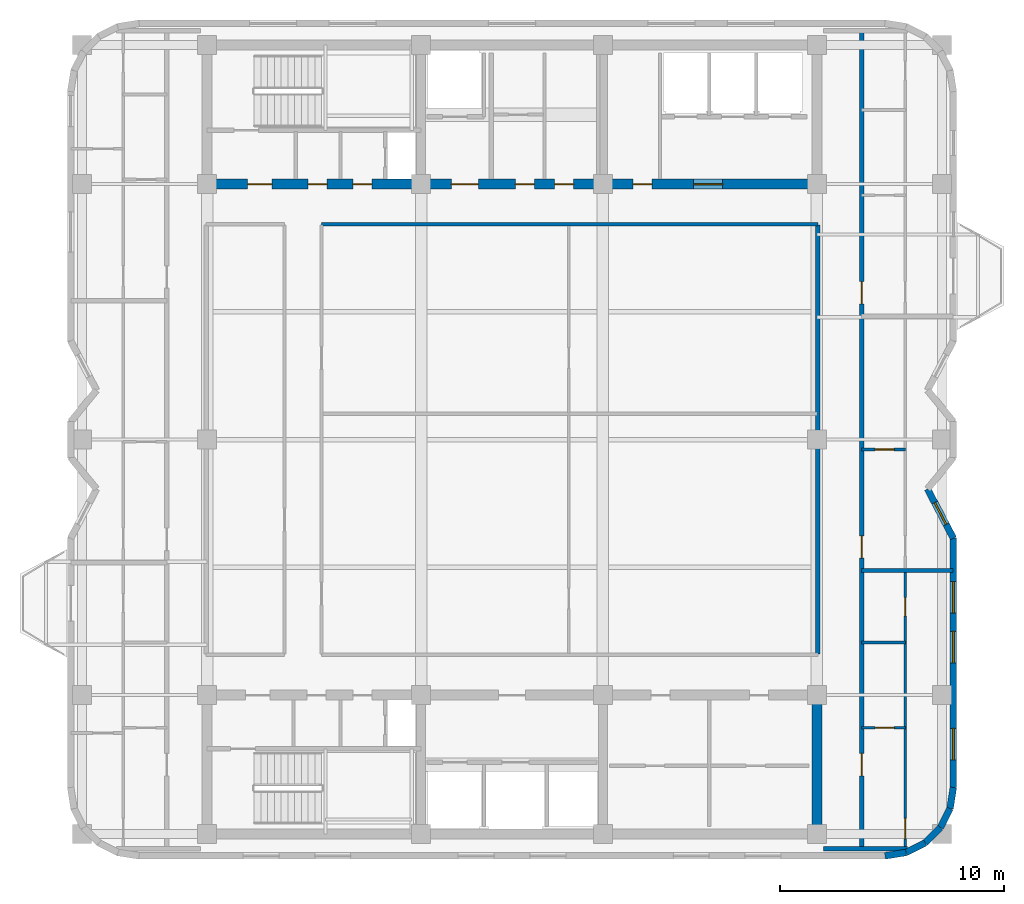
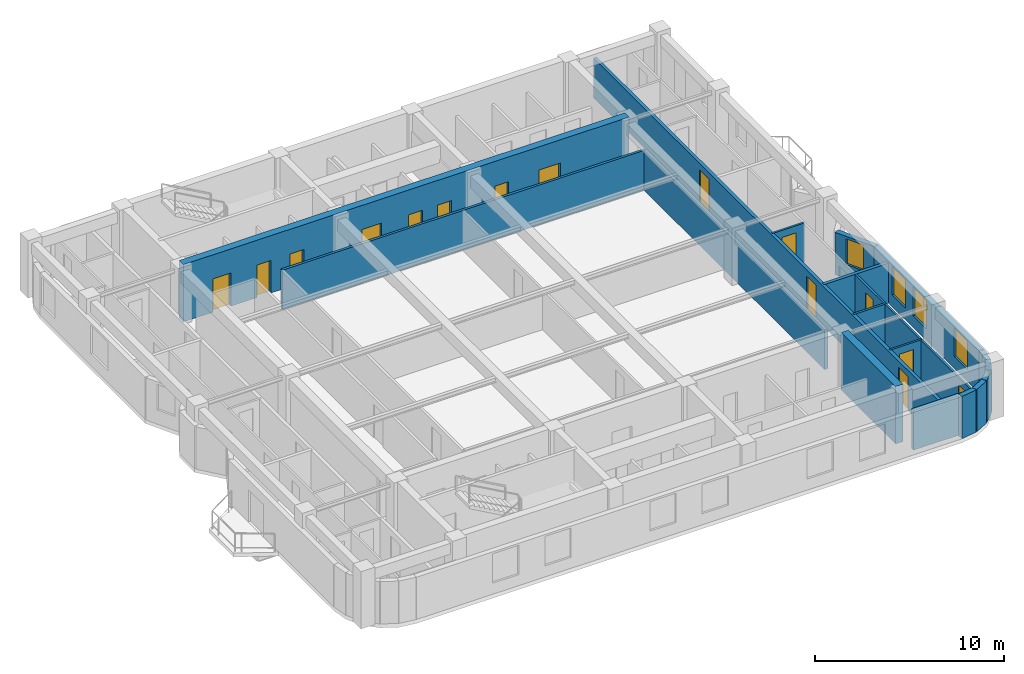
# One storey, part 5 of 9: 18 walls, 15 doors, 4 windows, 19 openings.
"""IFC4 building model written with IfcOpenShell, lengths in metres."""

from ifc_helpers import new_model, si_unit, direction, frame, frame_2d, origin, place, context, subcontext, project, spatial, rectangle, extrude, material, layer, layer_set, type_object, element, fill, save


model = new_model("IFC4")

# Units and contexts
model_context = context("Model", 3, precision=1e-05, world=origin(), true_north=direction((0.0, 1.0)))
body_context = subcontext(model_context, "Body", "Model", "MODEL_VIEW")
ifc_project = project(units=[si_unit("LENGTHUNIT", "METRE"), si_unit("AREAUNIT", "SQUARE_METRE"), si_unit("VOLUMEUNIT", "CUBIC_METRE"), si_unit("PLANEANGLEUNIT", "RADIAN"), si_unit("MASSUNIT", "GRAM", prefix="KILO")], contexts=[model_context])

# Site, building, storey
site_placement = place(None, origin())
site = spatial("IfcSite", under=ifc_project, at=site_placement, CompositionType="ELEMENT")
building_placement = place(site_placement, origin())
building = spatial("IfcBuilding", under=site, at=building_placement, Name="Svetorya Sky Lyceum", CompositionType="ELEMENT")
storey_placement = place(building_placement, frame((0.0, 0.0, 244.300048828125)))
storey = spatial("IfcBuildingStorey", under=building, at=storey_placement, Name="L61", CompositionType="ELEMENT", Elevation=244.300048828125)

# Wall
ifc_material_1 = material(Name="Concrete C50/60", Category="concrete")
ifc_layer_1 = layer(ifc_material_1, 0.449951171875)
ifc_layer_set_1 = layer_set([ifc_layer_1], Name="Concrete C50/60")
wall_type_1 = type_object("IfcWallType", Name="WL-CORE-450", PredefinedType="SHEAR", material=ifc_layer_set_1)
wall_1_placement = place(storey_placement, frame((52.800048828125, 10.824951171875, 0.0), z_axis=(0.0, 0.0, 1.0), x_axis=(0.0, 1.0, 0.0)))
element("IfcWall", 1, at=wall_1_placement, inside=storey, type_object=wall_type_1, Name="L61 SC East Core Shear Wall", PredefinedType="SHEAR", context=body_context, shape_type="SweptSolid", body=[
    extrude(rectangle(XDim=5.75, YDim=0.449951171875, at=frame_2d((2.875, 0.0))), origin(), (0.0, 0.0, 1.0), 3.699951171875),
])

# Wall, openings, doors
wall_2_placement = place(storey_placement, frame((52.800048828125, 39.60009765625, 0.0), z_axis=(0.0, 0.0, 1.0), x_axis=(-1.0, 0.0, 0.0)))
wall_2 = element("IfcWall", 2, at=wall_2_placement, inside=storey, type_object=wall_type_1, Name="L61 NC Inner Core Shear Wall", PredefinedType="SHEAR", context=body_context, shape_type="SweptSolid", body=[
    extrude(rectangle(XDim=27.199951171875, YDim=0.449951171875, at=frame_2d((13.60009765625, 0.0))), origin(), (0.0, 0.0, 1.0), 3.699951171875),
])
opening_1_placement = place(wall_2_placement, frame((24.300048828125, 0.0, 0.0)))
opening_1 = element("IfcOpeningElement", 3, at=opening_1_placement, cuts=wall_2, Name="Opening D-ST1", PredefinedType="OPENING", context=body_context, shape_type="SweptSolid", body=[
    extrude(rectangle(XDim=1.10009765625, YDim=2.14990234375, at=frame_2d((0.550048828125, 1.074951171875))), frame((0.0, 0.23486328125, 0.0), z_axis=(0.0, -1.0, 0.0), x_axis=(1.0, 0.0, 0.0)), (0.0, 0.0, 1.0), 0.469970703125),
])
opening_2_placement = place(wall_2_placement, frame((21.85009765625, 0.0, 0.0)))
opening_2 = element("IfcOpeningElement", 4, at=opening_2_placement, cuts=wall_2, Name="Opening D-CWC1", PredefinedType="OPENING", context=body_context, shape_type="SweptSolid", body=[
    extrude(rectangle(XDim=0.85009765625, YDim=2.10009765625, at=frame_2d((0.425048828125, 1.050048828125))), frame((0.0, 0.23486328125, 0.0), z_axis=(0.0, -1.0, 0.0), x_axis=(1.0, 0.0, 0.0)), (0.0, 0.0, 1.0), 0.469970703125),
])
opening_3_placement = place(wall_2_placement, frame((19.85009765625, 0.0, 0.0)))
opening_3 = element("IfcOpeningElement", 5, at=opening_3_placement, cuts=wall_2, Name="Opening D-CWC1", PredefinedType="OPENING", context=body_context, shape_type="SweptSolid", body=[
    extrude(rectangle(XDim=0.85009765625, YDim=2.10009765625, at=frame_2d((0.425048828125, 1.050048828125))), frame((0.0, 0.23486328125, 0.0), z_axis=(0.0, -1.0, 0.0), x_axis=(1.0, 0.0, 0.0)), (0.0, 0.0, 1.0), 0.469970703125),
])
opening_4_placement = place(wall_2_placement, frame((15.10009765625, 0.0, 0.0)))
opening_4 = element("IfcOpeningElement", 6, at=opening_4_placement, cuts=wall_2, Name="Opening D-FL1", PredefinedType="OPENING", context=body_context, shape_type="SweptSolid", body=[
    extrude(rectangle(XDim=1.199951171875, YDim=2.14990234375, at=frame_2d((0.60009765625, 1.074951171875))), frame((0.0, 0.23486328125, 0.0), z_axis=(0.0, -1.0, 0.0), x_axis=(1.0, 0.0, 0.0)), (0.0, 0.0, 1.0), 0.469970703125),
])
opening_5_placement = place(wall_2_placement, frame((12.60009765625, 0.0, 0.0)))
opening_5 = element("IfcOpeningElement", 7, at=opening_5_placement, cuts=wall_2, Name="Opening D-CWC1", PredefinedType="OPENING", context=body_context, shape_type="SweptSolid", body=[
    extrude(rectangle(XDim=0.85009765625, YDim=2.10009765625, at=frame_2d((0.425048828125, 1.050048828125))), frame((0.0, 0.23486328125, 0.0), z_axis=(0.0, -1.0, 0.0), x_axis=(1.0, 0.0, 0.0)), (0.0, 0.0, 1.0), 0.469970703125),
])
opening_6_placement = place(wall_2_placement, frame((10.85009765625, 0.0, 0.0)))
opening_6 = element("IfcOpeningElement", 8, at=opening_6_placement, cuts=wall_2, Name="Opening D-CWC1", PredefinedType="OPENING", context=body_context, shape_type="SweptSolid", body=[
    extrude(rectangle(XDim=0.85009765625, YDim=2.10009765625, at=frame_2d((0.425048828125, 1.050048828125))), frame((0.0, 0.23486328125, 0.0), z_axis=(0.0, -1.0, 0.0), x_axis=(1.0, 0.0, 0.0)), (0.0, 0.0, 1.0), 0.469970703125),
])
opening_7_placement = place(wall_2_placement, frame((7.35009765625, 0.0, 0.0)))
opening_7 = element("IfcOpeningElement", 9, at=opening_7_placement, cuts=wall_2, Name="Opening D-CWC1", PredefinedType="OPENING", context=body_context, shape_type="SweptSolid", body=[
    extrude(rectangle(XDim=0.85009765625, YDim=2.10009765625, at=frame_2d((0.425048828125, 1.050048828125))), frame((0.0, 0.23486328125, 0.0), z_axis=(0.0, -1.0, 0.0), x_axis=(1.0, 0.0, 0.0)), (0.0, 0.0, 1.0), 0.469970703125),
])
opening_8_placement = place(wall_2_placement, frame((4.199951171875, 0.0, 0.0)))
opening_8 = element("IfcOpeningElement", 10, at=opening_8_placement, cuts=wall_2, Name="Opening D-LB1", PredefinedType="OPENING", context=body_context, shape_type="SweptSolid", body=[
    extrude(rectangle(XDim=1.300048828125, YDim=2.199951171875, at=frame_2d((0.64990234375, 1.10009765625))), frame((0.0, 0.23486328125, 0.0), z_axis=(0.0, -1.0, 0.0), x_axis=(1.0, 0.0, 0.0)), (0.0, 0.0, 1.0), 0.469970703125),
])
ifc_material_2 = material(Name="Fire-rated galvanized steel core service closet door", Category="steel")
door_type_1 = type_object("IfcDoorType", Name="DR-CWET-850", OperationType="SINGLE_SWING_LEFT", PredefinedType="DOOR", material=ifc_material_2)
door_1_placement = place(opening_2_placement, origin())
door_1 = element("IfcDoor", 11, at=door_1_placement, inside=storey, type_object=door_type_1, Name="L61 North Cleaner Door", OperationType="SINGLE_SWING_RIGHT", OverallHeight=2.10009765625, OverallWidth=0.85009765625, PredefinedType="DOOR", context=body_context, shape_type="SweptSolid", body=[
    extrude(rectangle(XDim=0.85009765625, YDim=2.10009765625, at=frame_2d((0.425048828125, 1.050048828125))), frame((0.0, 0.02490234375, 0.0), z_axis=(0.0, -1.0, 0.0), x_axis=(1.0, 0.0, 0.0)), (0.0, 0.0, 1.0), 0.050048828125),
])
fill(opening_2, door_1)
door_2_placement = place(opening_3_placement, origin())
door_2 = element("IfcDoor", 12, at=door_2_placement, inside=storey, type_object=door_type_1, Name="L61 North Meter Door", OperationType="SINGLE_SWING_LEFT", OverallHeight=2.10009765625, OverallWidth=0.85009765625, PredefinedType="DOOR", context=body_context, shape_type="SweptSolid", body=[
    extrude(rectangle(XDim=0.85009765625, YDim=2.10009765625, at=frame_2d((0.425048828125, 1.050048828125))), frame((0.0, 0.02490234375, 0.0), z_axis=(0.0, -1.0, 0.0), x_axis=(1.0, 0.0, 0.0)), (0.0, 0.0, 1.0), 0.050048828125),
])
fill(opening_3, door_2)
door_3_placement = place(opening_5_placement, origin())
door_3 = element("IfcDoor", 13, at=door_3_placement, inside=storey, type_object=door_type_1, Name="L61 Cleaner Vestibule Door", OperationType="SINGLE_SWING_LEFT", OverallHeight=2.10009765625, OverallWidth=0.85009765625, PredefinedType="DOOR", context=body_context, shape_type="SweptSolid", body=[
    extrude(rectangle(XDim=0.85009765625, YDim=2.10009765625, at=frame_2d((0.425048828125, 1.050048828125))), frame((0.0, 0.02490234375, 0.0), z_axis=(0.0, -1.0, 0.0), x_axis=(1.0, 0.0, 0.0)), (0.0, 0.0, 1.0), 0.050048828125),
])
fill(opening_5, door_3)
door_4_placement = place(opening_6_placement, origin())
door_4 = element("IfcDoor", 14, at=door_4_placement, inside=storey, type_object=door_type_1, Name="L61 Upper Pram Store Door", OperationType="SINGLE_SWING_RIGHT", OverallHeight=2.10009765625, OverallWidth=0.85009765625, PredefinedType="DOOR", context=body_context, shape_type="SweptSolid", body=[
    extrude(rectangle(XDim=0.85009765625, YDim=2.10009765625, at=frame_2d((0.425048828125, 1.050048828125))), frame((0.0, 0.02490234375, 0.0), z_axis=(0.0, -1.0, 0.0), x_axis=(1.0, 0.0, 0.0)), (0.0, 0.0, 1.0), 0.050048828125),
])
fill(opening_6, door_4)
door_5_placement = place(opening_7_placement, origin())
door_5 = element("IfcDoor", 15, at=door_5_placement, inside=storey, type_object=door_type_1, Name="L61 High-Zone Utility Room Door", OperationType="SINGLE_SWING_LEFT", OverallHeight=2.10009765625, OverallWidth=0.85009765625, PredefinedType="DOOR", context=body_context, shape_type="SweptSolid", body=[
    extrude(rectangle(XDim=0.85009765625, YDim=2.10009765625, at=frame_2d((0.425048828125, 1.050048828125))), frame((0.0, 0.02490234375, 0.0), z_axis=(0.0, -1.0, 0.0), x_axis=(1.0, 0.0, 0.0)), (0.0, 0.0, 1.0), 0.050048828125),
])
fill(opening_7, door_5)
ifc_material_3 = material(Name="Powder-coated insulated galvanized stair fire door")
door_type_2 = type_object("IfcDoorType", Name="DR-FIRE-1100", OperationType="SINGLE_SWING_LEFT", PredefinedType="DOOR", material=ifc_material_3)
door_6_placement = place(opening_1_placement, origin())
door_6 = element("IfcDoor", 16, at=door_6_placement, inside=storey, type_object=door_type_2, Name="L61 North Stair Airlock Door", OperationType="SINGLE_SWING_LEFT", OverallHeight=2.14990234375, OverallWidth=1.10009765625, PredefinedType="DOOR", context=body_context, shape_type="SweptSolid", body=[
    extrude(rectangle(XDim=1.10009765625, YDim=2.14990234375, at=frame_2d((0.550048828125, 1.074951171875))), frame((0.0, 0.02490234375, 0.0), z_axis=(0.0, -1.0, 0.0), x_axis=(1.0, 0.0, 0.0)), (0.0, 0.0, 1.0), 0.050048828125),
])
fill(opening_1, door_6)
ifc_material_4 = material(Name="Powder-coated insulated galvanized fire door")
door_type_3 = type_object("IfcDoorType", Name="DR-FIRE-1200", OperationType="SINGLE_SWING_LEFT", PredefinedType="DOOR", material=ifc_material_4)
door_7_placement = place(opening_4_placement, origin())
door_7 = element("IfcDoor", 17, at=door_7_placement, inside=storey, type_object=door_type_3, Name="L61 North Firefighting Lift Lobby Door", OperationType="SINGLE_SWING_RIGHT", OverallHeight=2.14990234375, OverallWidth=1.199951171875, PredefinedType="DOOR", context=body_context, shape_type="SweptSolid", body=[
    extrude(rectangle(XDim=1.199951171875, YDim=2.14990234375, at=frame_2d((0.60009765625, 1.074951171875))), frame((0.0, 0.02490234375, 0.0), z_axis=(0.0, -1.0, 0.0), x_axis=(1.0, 0.0, 0.0)), (0.0, 0.0, 1.0), 0.050048828125),
])
fill(opening_4, door_7)
ifc_material_5 = material(Name="Glazed fire-rated aluminium lobby door", Category="aluminium")
door_type_4 = type_object("IfcDoorType", Name="DR-LOB-1300", OperationType="SINGLE_SWING_LEFT", PredefinedType="DOOR", material=ifc_material_5)
door_8_placement = place(opening_8_placement, origin())
door_8 = element("IfcDoor", 18, at=door_8_placement, inside=storey, type_object=door_type_4, Name="L61 North Passenger Lift Lobby Door", OperationType="SINGLE_SWING_LEFT", OverallHeight=2.199951171875, OverallWidth=1.300048828125, PredefinedType="DOOR", context=body_context, shape_type="SweptSolid", body=[
    extrude(rectangle(XDim=1.300048828125, YDim=2.199951171875, at=frame_2d((0.64990234375, 1.10009765625))), frame((0.0, 0.02490234375, 0.0), z_axis=(0.0, -1.0, 0.0), x_axis=(1.0, 0.0, 0.0)), (0.0, 0.0, 1.0), 0.050048828125),
])
fill(opening_8, door_8)

# Walls
ifc_material_6 = material(Name="Putilovo limestone rainscreen on autoclaved cellular masonry", Category="masonry")
ifc_layer_2 = layer(ifc_material_6, 0.300048828125)
ifc_layer_set_2 = layer_set([ifc_layer_2], Name="Putilovo limestone rainscreen on autoclaved cellular masonry")
wall_type_2 = type_object("IfcWallType", Name="WL-EXT-300", PredefinedType="SOLIDWALL", material=ifc_layer_set_2)
wall_3_placement = place(storey_placement, frame((55.840087890625, 9.6298828125, 0.0), z_axis=(0.0, 0.0, 1.0), x_axis=(0.987663181641, 0.156593229835, 0.0)))
element("IfcWall", 19, at=wall_3_placement, inside=storey, type_object=wall_type_2, Name="L61 Limestone Exterior Wall 7M", PredefinedType="SOLIDWALL", context=body_context, shape_type="SweptSolid", body=[
    extrude(rectangle(XDim=0.9541015625, YDim=0.300048828125, at=frame_2d((0.47705078125, 0.0))), origin(), (0.0, 0.0, 1.0), 2.72998046875),
])
for number, where, z_axis, x_axis, name in (
    (20, (56.782470703125, 9.779296875, 0.0), (0.0, 0.0, 1.0), (0.891076589373, 0.453852962833, 0.0), "L61 Limestone Exterior Wall 8M"),
    (21, (57.6328125, 10.21240234375, 0.0), (0.0, 0.0, 1.0), (0.707106781187, 0.707106781187, 0.0), "L61 Limestone Exterior Wall 9M"),
    (22, (58.3076171875, 10.88720703125, 0.0), (0.0, 0.0, 1.0), (0.453852962833, 0.891076589373, 0.0), "L61 Limestone Exterior Wall 10M"),
):
    element("IfcWall", number, at=place(storey_placement, frame(where, z_axis=z_axis, x_axis=x_axis)), inside=storey, type_object=wall_type_2, Name=name, PredefinedType="SOLIDWALL", context=body_context, shape_type="SweptSolid", body=[
        extrude(rectangle(XDim=0.954345703125, YDim=0.300048828125, at=frame_2d((0.47705078125, 0.0))), origin(), (0.0, 0.0, 1.0), 2.72998046875),
    ])
wall_4_placement = place(storey_placement, frame((58.74072265625, 11.737548828125, 0.0), z_axis=(0.0, 0.0, 1.0), x_axis=(0.156343617883, 0.987702725088, 0.0)))
element("IfcWall", 23, at=wall_4_placement, inside=storey, type_object=wall_type_2, Name="L61 Limestone Exterior Wall 11M", PredefinedType="SOLIDWALL", context=body_context, shape_type="SweptSolid", body=[
    extrude(rectangle(XDim=0.9541015625, YDim=0.300048828125, at=frame_2d((0.47705078125, 0.0))), origin(), (0.0, 0.0, 1.0), 2.72998046875),
])

# Wall, openings, windows
wall_5_placement = place(storey_placement, frame((58.889892578125, 12.679931640625, 0.0), z_axis=(0.0, 0.0, 1.0), x_axis=(0.0, 1.0, 0.0)))
wall_5 = element("IfcWall", 24, at=wall_5_placement, inside=storey, type_object=wall_type_2, Name="L61 Limestone Exterior Wall 12M", PredefinedType="SOLIDWALL", context=body_context, shape_type="SweptSolid", body=[
    extrude(rectangle(XDim=11.1201171875, YDim=0.300048828125, at=frame_2d((5.56005859375, 0.0))), origin(), (0.0, 0.0, 1.0), 2.72998046875),
])
opening_9_placement = place(wall_5_placement, frame((1.23681640625, 0.0, 0.760009765625)))
opening_9 = element("IfcOpeningElement", 25, at=opening_9_placement, cuts=wall_5, Name="Opening W-R2", PredefinedType="OPENING", context=body_context, shape_type="SweptSolid", body=[
    extrude(rectangle(XDim=1.39990234375, YDim=1.85009765625, at=frame_2d((0.699951171875, 0.925048828125))), frame((0.0, 0.159912109375, 0.0), z_axis=(0.0, -1.0, 0.0), x_axis=(1.0, 0.0, 0.0)), (0.0, 0.0, 1.0), 0.320068359375),
])
opening_10_placement = place(wall_5_placement, frame((5.56005859375, 0.0, 0.760009765625)))
opening_10 = element("IfcOpeningElement", 26, at=opening_10_placement, cuts=wall_5, Name="Opening W-R2", PredefinedType="OPENING", context=body_context, shape_type="SweptSolid", body=[
    extrude(rectangle(XDim=1.39990234375, YDim=1.85009765625, at=frame_2d((0.699951171875, 0.925048828125))), frame((0.0, 0.159912109375, 0.0), z_axis=(0.0, -1.0, 0.0), x_axis=(1.0, 0.0, 0.0)), (0.0, 0.0, 1.0), 0.320068359375),
])
opening_11_placement = place(wall_5_placement, frame((7.783203125, 0.0, 0.760009765625)))
opening_11 = element("IfcOpeningElement", 27, at=opening_11_placement, cuts=wall_5, Name="Opening W-R2", PredefinedType="OPENING", context=body_context, shape_type="SweptSolid", body=[
    extrude(rectangle(XDim=1.39990234375, YDim=1.85009765625, at=frame_2d((0.699951171875, 0.925048828125))), frame((0.0, 0.159912109375, 0.0), z_axis=(0.0, -1.0, 0.0), x_axis=(1.0, 0.0, 0.0)), (0.0, 0.0, 1.0), 0.320068359375),
])
ifc_material_7 = material(Name="Thermally broken aluminium frame with triple low-E glazing", Category="aluminium")
window_type_1 = type_object("IfcWindowType", Name="WN-RES-140", PartitioningType="SINGLE_PANEL", PredefinedType="WINDOW", material=ifc_material_7)
window_1_placement = place(opening_9_placement, origin())
window_1 = element("IfcWindow", 28, at=window_1_placement, inside=storey, type_object=window_type_1, Name="L61 Facade Window W-R2.12M.1", OverallHeight=1.85009765625, OverallWidth=1.39990234375, PartitioningType="SINGLE_PANEL", PredefinedType="WINDOW", context=body_context, shape_type="SweptSolid", body=[
    extrude(rectangle(XDim=1.39990234375, YDim=1.85009765625, at=frame_2d((0.699951171875, 0.925048828125))), frame((0.0, 0.030029296875, 0.0), z_axis=(0.0, -1.0, 0.0), x_axis=(1.0, 0.0, 0.0)), (0.0, 0.0, 1.0), 0.06005859375),
])
fill(opening_9, window_1)
window_2_placement = place(opening_10_placement, origin())
window_2 = element("IfcWindow", 29, at=window_2_placement, inside=storey, type_object=window_type_1, Name="L61 Facade Window W-R2.12M.2", OverallHeight=1.85009765625, OverallWidth=1.39990234375, PartitioningType="SINGLE_PANEL", PredefinedType="WINDOW", context=body_context, shape_type="SweptSolid", body=[
    extrude(rectangle(XDim=1.39990234375, YDim=1.85009765625, at=frame_2d((0.699951171875, 0.925048828125))), frame((0.0, 0.030029296875, 0.0), z_axis=(0.0, -1.0, 0.0), x_axis=(1.0, 0.0, 0.0)), (0.0, 0.0, 1.0), 0.06005859375),
])
fill(opening_10, window_2)
window_3_placement = place(opening_11_placement, origin())
window_3 = element("IfcWindow", 30, at=window_3_placement, inside=storey, type_object=window_type_1, Name="L61 Facade Window W-R2.12M.3", OverallHeight=1.85009765625, OverallWidth=1.39990234375, PartitioningType="SINGLE_PANEL", PredefinedType="WINDOW", context=body_context, shape_type="SweptSolid", body=[
    extrude(rectangle(XDim=1.39990234375, YDim=1.85009765625, at=frame_2d((0.699951171875, 0.925048828125))), frame((0.0, 0.030029296875, 0.0), z_axis=(0.0, -1.0, 0.0), x_axis=(1.0, 0.0, 0.0)), (0.0, 0.0, 1.0), 0.06005859375),
])
fill(opening_11, window_3)

# Wall, opening, window
wall_6_placement = place(storey_placement, frame((58.889892578125, 23.800048828125, 0.0), z_axis=(0.0, 0.0, 1.0), x_axis=(-0.46323138706, 0.886237373418, 0.0)))
wall_6 = element("IfcWall", 31, at=wall_6_placement, inside=storey, type_object=wall_type_2, Name="L61 Limestone Exterior Wall 13M", PredefinedType="SOLIDWALL", context=body_context, shape_type="SweptSolid", body=[
    extrude(rectangle(XDim=2.482421875, YDim=0.300048828125, at=frame_2d((1.2412109375, 0.0))), origin(), (0.0, 0.0, 1.0), 2.72998046875),
])
opening_12_placement = place(wall_6_placement, frame((0.691162109375, 0.0, 0.919921875)))
opening_12 = element("IfcOpeningElement", 32, at=opening_12_placement, cuts=wall_6, Name="Opening W-R3", PredefinedType="OPENING", context=body_context, shape_type="SweptSolid", body=[
    extrude(rectangle(XDim=1.10009765625, YDim=1.64990234375, at=frame_2d((0.550048828125, 0.824951171875))), frame((0.0, 0.159912109375, 0.0), z_axis=(0.0, -1.0, 0.0), x_axis=(1.0, 0.0, 0.0)), (0.0, 0.0, 1.0), 0.320068359375),
])
window_type_2 = type_object("IfcWindowType", Name="WN-RES-110", PartitioningType="SINGLE_PANEL", PredefinedType="WINDOW", material=ifc_material_7)
window_4_placement = place(opening_12_placement, origin())
window_4 = element("IfcWindow", 33, at=window_4_placement, inside=storey, type_object=window_type_2, Name="L61 Facade Window W-R3.13M.1", OverallHeight=1.64990234375, OverallWidth=1.10009765625, PartitioningType="SINGLE_PANEL", PredefinedType="WINDOW", context=body_context, shape_type="SweptSolid", body=[
    extrude(rectangle(XDim=1.10009765625, YDim=1.64990234375, at=frame_2d((0.550048828125, 0.824951171875))), frame((0.0, 0.030029296875, 0.0), z_axis=(0.0, -1.0, 0.0), x_axis=(1.0, 0.0, 0.0)), (0.0, 0.0, 1.0), 0.06005859375),
])
fill(opening_12, window_4)

# Wall, opening, door
ifc_material_8 = material(Name="Twin-stud galvanized framing with double fireboard", Category="gypsum")
ifc_layer_3 = layer(ifc_material_8, 0.1201171875)
ifc_layer_set_3 = layer_set([ifc_layer_3], Name="Twin-stud galvanized framing with double fireboard")
wall_type_3 = type_object("IfcWallType", Name="WL-PART-120", PredefinedType="PARTITIONING", material=ifc_layer_set_3)
wall_7_placement = place(storey_placement, frame((54.800048828125, 15.35009765625, 0.0), z_axis=(0.0, 0.0, 1.0), x_axis=(1.0, 0.0, 0.0)))
wall_7 = element("IfcWall", 34, at=wall_7_placement, inside=storey, type_object=wall_type_3, Name="L61 Interior Partition E1-WH1", PredefinedType="PARTITIONING", context=body_context, shape_type="SweptSolid", body=[
    extrude(rectangle(XDim=1.949951171875, YDim=0.1201171875, at=frame_2d((0.97509765625, 0.0))), origin(), (0.0, 0.0, 1.0), 2.56005859375),
])
opening_13_placement = place(wall_7_placement, frame((0.60009765625, 0.0, 0.0)))
opening_13 = element("IfcOpeningElement", 35, at=opening_13_placement, cuts=wall_7, Name="Opening D-BT1", PredefinedType="OPENING", context=body_context, shape_type="SweptSolid", body=[
    extrude(rectangle(XDim=0.85009765625, YDim=2.10009765625, at=frame_2d((0.425048828125, 1.050048828125))), frame((0.0, 0.070068359375, 0.0), z_axis=(0.0, -1.0, 0.0), x_axis=(1.0, 0.0, 0.0)), (0.0, 0.0, 1.0), 0.14013671875),
])
ifc_material_9 = material(Name="Moisture-resistant laminate bathroom door")
door_type_5 = type_object("IfcDoorType", Name="DR-WET-850", OperationType="SINGLE_SWING_LEFT", PredefinedType="DOOR", material=ifc_material_9)
door_9_placement = place(opening_13_placement, origin())
door_9 = element("IfcDoor", 36, at=door_9_placement, inside=storey, type_object=door_type_5, Name="Apartment E1 Bathroom Door", OperationType="SINGLE_SWING_RIGHT", OverallHeight=2.10009765625, OverallWidth=0.85009765625, PredefinedType="DOOR", context=body_context, shape_type="SweptSolid", body=[
    extrude(rectangle(XDim=0.85009765625, YDim=2.10009765625, at=frame_2d((0.425048828125, 1.050048828125))), frame((0.0, 0.02490234375, 0.0), z_axis=(0.0, -1.0, 0.0), x_axis=(1.0, 0.0, 0.0)), (0.0, 0.0, 1.0), 0.050048828125),
])
fill(opening_13, door_9)

# Wall, openings, doors
wall_8_placement = place(storey_placement, frame((56.75, 9.989990234375, 0.0), z_axis=(0.0, 0.0, 1.0), x_axis=(0.0, 1.0, 0.0)))
wall_8 = element("IfcWall", 37, at=wall_8_placement, inside=storey, type_object=wall_type_3, Name="L61 Interior Partition E1-WV", PredefinedType="PARTITIONING", context=body_context, shape_type="SweptSolid", body=[
    extrude(rectangle(XDim=12.330078125, YDim=0.1201171875, at=frame_2d((6.1650390625, 0.0))), origin(), (0.0, 0.0, 1.0), 2.56005859375),
])
opening_14_placement = place(wall_8_placement, frame((0.409912109375, 0.0, 0.0)))
opening_14 = element("IfcOpeningElement", 38, at=opening_14_placement, cuts=wall_8, Name="Opening D-RM1", PredefinedType="OPENING", context=body_context, shape_type="SweptSolid", body=[
    extrude(rectangle(XDim=0.89990234375, YDim=2.10009765625, at=frame_2d((0.449951171875, 1.050048828125))), frame((0.0, 0.070068359375, 0.0), z_axis=(0.0, -1.0, 0.0), x_axis=(1.0, 0.0, 0.0)), (0.0, 0.0, 1.0), 0.14013671875),
])
opening_15_placement = place(wall_8_placement, frame((10.340087890625, 0.0, 0.0)))
opening_15 = element("IfcOpeningElement", 39, at=opening_15_placement, cuts=wall_8, Name="Opening D-BT2", PredefinedType="OPENING", context=body_context, shape_type="SweptSolid", body=[
    extrude(rectangle(XDim=0.820068359375, YDim=2.080078125, at=frame_2d((0.41015625, 1.0400390625))), frame((0.0, 0.070068359375, 0.0), z_axis=(0.0, -1.0, 0.0), x_axis=(1.0, 0.0, 0.0)), (0.0, 0.0, 1.0), 0.14013671875),
])
ifc_material_10 = material(Name="Lacquered birch veneer internal door")
door_type_6 = type_object("IfcDoorType", Name="DR-INT-900", OperationType="SINGLE_SWING_LEFT", PredefinedType="DOOR", material=ifc_material_10)
door_10_placement = place(opening_14_placement, origin())
door_10 = element("IfcDoor", 40, at=door_10_placement, inside=storey, type_object=door_type_6, Name="Apartment E1 Living Door", OperationType="SINGLE_SWING_LEFT", OverallHeight=2.10009765625, OverallWidth=0.89990234375, PredefinedType="DOOR", context=body_context, shape_type="SweptSolid", body=[
    extrude(rectangle(XDim=0.89990234375, YDim=2.10009765625, at=frame_2d((0.449951171875, 1.050048828125))), frame((0.0, 0.02490234375, 0.0), z_axis=(0.0, -1.0, 0.0), x_axis=(1.0, 0.0, 0.0)), (0.0, 0.0, 1.0), 0.050048828125),
])
fill(opening_14, door_10)
ifc_material_11 = material(Name="Compact moisture-resistant laminate closet door")
door_type_7 = type_object("IfcDoorType", Name="DR-WET-820", OperationType="SINGLE_SWING_LEFT", PredefinedType="DOOR", material=ifc_material_11)
door_11_placement = place(opening_15_placement, origin())
door_11 = element("IfcDoor", 41, at=door_11_placement, inside=storey, type_object=door_type_7, Name="Apartment E1 Study Door", OperationType="SINGLE_SWING_RIGHT", OverallHeight=2.080078125, OverallWidth=0.820068359375, PredefinedType="DOOR", context=body_context, shape_type="SweptSolid", body=[
    extrude(rectangle(XDim=0.820068359375, YDim=2.080078125, at=frame_2d((0.41015625, 1.0400390625))), frame((0.0, 0.02490234375, 0.0), z_axis=(0.0, -1.0, 0.0), x_axis=(1.0, 0.0, 0.0)), (0.0, 0.0, 1.0), 0.050048828125),
])
fill(opening_15, door_11)

# Wall, opening, door
wall_9_placement = place(storey_placement, frame((54.800048828125, 27.760009765625, 0.0), z_axis=(0.0, 0.0, 1.0), x_axis=(1.0, 0.0, 0.0)))
wall_9 = element("IfcWall", 42, at=wall_9_placement, inside=storey, type_object=wall_type_3, Name="L61 Interior Partition E2-WH1", PredefinedType="PARTITIONING", context=body_context, shape_type="SweptSolid", body=[
    extrude(rectangle(XDim=1.949951171875, YDim=0.1201171875, at=frame_2d((0.97509765625, 0.0))), origin(), (0.0, 0.0, 1.0), 2.56005859375),
])
opening_16_placement = place(wall_9_placement, frame((0.60009765625, 0.0, 0.0)))
opening_16 = element("IfcOpeningElement", 43, at=opening_16_placement, cuts=wall_9, Name="Opening D-BT1", PredefinedType="OPENING", context=body_context, shape_type="SweptSolid", body=[
    extrude(rectangle(XDim=0.85009765625, YDim=2.10009765625, at=frame_2d((0.425048828125, 1.050048828125))), frame((0.0, 0.070068359375, 0.0), z_axis=(0.0, -1.0, 0.0), x_axis=(1.0, 0.0, 0.0)), (0.0, 0.0, 1.0), 0.14013671875),
])
door_12_placement = place(opening_16_placement, origin())
door_12 = element("IfcDoor", 44, at=door_12_placement, inside=storey, type_object=door_type_5, Name="Apartment E2 Bathroom Door", OperationType="SINGLE_SWING_LEFT", OverallHeight=2.10009765625, OverallWidth=0.85009765625, PredefinedType="DOOR", context=body_context, shape_type="SweptSolid", body=[
    extrude(rectangle(XDim=0.85009765625, YDim=2.10009765625, at=frame_2d((0.425048828125, 1.050048828125))), frame((0.0, 0.02490234375, 0.0), z_axis=(0.0, -1.0, 0.0), x_axis=(1.0, 0.0, 0.0)), (0.0, 0.0, 1.0), 0.050048828125),
])
fill(opening_16, door_12)

# Walls
ifc_material_12 = material(Name="Twin-stud galvanized framing with acoustic board", Category="gypsum")
ifc_layer_4 = layer(ifc_material_12, 0.135009765625)
ifc_layer_set_4 = layer_set([ifc_layer_4], Name="Twin-stud galvanized framing with acoustic board")
wall_type_4 = type_object("IfcWallType", Name="WL-PART-135", PredefinedType="PARTITIONING", material=ifc_layer_set_4)
wall_10_placement = place(storey_placement, frame((54.800048828125, 19.14990234375, 0.0), z_axis=(0.0, 0.0, 1.0), x_axis=(1.0, 0.0, 0.0)))
element("IfcWall", 45, at=wall_10_placement, inside=storey, type_object=wall_type_4, Name="L61 Interior Partition E1-WH2", PredefinedType="PARTITIONING", context=body_context, shape_type="SweptSolid", body=[
    extrude(rectangle(XDim=1.949951171875, YDim=0.135009765625, at=frame_2d((0.97509765625, 0.0))), origin(), (0.0, 0.0, 1.0), 2.56005859375),
])
ifc_material_13 = material(Name="Autoclaved cellular masonry blockwork with acoustic render", Category="masonry")
ifc_layer_5 = layer(ifc_material_13, 0.14990234375)
ifc_layer_set_5 = layer_set([ifc_layer_5], Name="Autoclaved cellular masonry blockwork with acoustic render")
wall_type_5 = type_object("IfcWallType", Name="WL-PART-150", PredefinedType="PARTITIONING", material=ifc_layer_set_5)
wall_11_placement = place(storey_placement, frame((30.699951171875, 37.800048828125, 0.0), z_axis=(0.0, 0.0, 1.0), x_axis=(1.0, 0.0, 0.0)))
element("IfcWall", 46, at=wall_11_placement, inside=storey, type_object=wall_type_5, Name="L61 Interior Partition OFF-CN-E", PredefinedType="PARTITIONING", context=body_context, shape_type="SweptSolid", body=[
    extrude(rectangle(XDim=22.150146484375, YDim=0.14990234375, at=frame_2d((11.0751953125, 0.0))), origin(), (0.0, 0.0, 1.0), 2.56005859375),
])
ifc_material_14 = material(Name="Autoclaved cellular masonry blockwork with gypsum plaster", Category="masonry")
ifc_layer_6 = layer(ifc_material_14, 0.199951171875)
ifc_layer_set_6 = layer_set([ifc_layer_6], Name="Autoclaved cellular masonry blockwork with gypsum plaster")
wall_type_6 = type_object("IfcWallType", Name="WL-PART-200", PredefinedType="PARTITIONING", material=ifc_layer_set_6)
wall_12_placement = place(storey_placement, frame((52.85009765625, 18.6298828125, 0.0), z_axis=(0.0, 0.0, 1.0), x_axis=(0.0, 1.0, 0.0)))
element("IfcWall", 47, at=wall_12_placement, inside=storey, type_object=wall_type_6, Name="L61 Interior Partition E-CEN-SEP", PredefinedType="PARTITIONING", context=body_context, shape_type="SweptSolid", body=[
    extrude(rectangle(XDim=19.14013671875, YDim=0.199951171875, at=frame_2d((9.570068359375, 0.0))), origin(), (0.0, 0.0, 1.0), 2.56005859375),
])
wall_13_placement = place(storey_placement, frame((54.800048828125, 22.360107421875, 0.0), z_axis=(0.0, 0.0, 1.0), x_axis=(1.0, 0.0, 0.0)))
element("IfcWall", 48, at=wall_13_placement, inside=storey, type_object=wall_type_6, Name="L61 Interior Partition E-PARTY-1", PredefinedType="PARTITIONING", context=body_context, shape_type="SweptSolid", body=[
    extrude(rectangle(XDim=4.070068359375, YDim=0.199951171875, at=frame_2d((2.03515625, 0.0))), origin(), (0.0, 0.0, 1.0), 2.56005859375),
])

# Wall, openings, doors
wall_14_placement = place(storey_placement, frame((54.800048828125, 9.949951171875, 0.0), z_axis=(0.0, 0.0, 1.0), x_axis=(0.0, 1.0, 0.0)))
wall_14 = element("IfcWall", 49, at=wall_14_placement, inside=storey, type_object=wall_type_6, Name="L61 Interior Partition E-CORRW", PredefinedType="PARTITIONING", context=body_context, shape_type="SweptSolid", body=[
    extrude(rectangle(XDim=36.5, YDim=0.199951171875, at=frame_2d((18.25, 0.0))), origin(), (0.0, 0.0, 1.0), 2.56005859375),
])
opening_17_placement = place(wall_14_placement, frame((3.25, 0.0, 0.0)))
opening_17 = element("IfcOpeningElement", 50, at=opening_17_placement, cuts=wall_14, Name="Opening D-APT1", PredefinedType="OPENING", context=body_context, shape_type="SweptSolid", body=[
    extrude(rectangle(XDim=1.0, YDim=2.14990234375, at=frame_2d((0.5, 1.074951171875))), frame((0.0, 0.10986328125, 0.0), z_axis=(0.0, -1.0, 0.0), x_axis=(1.0, 0.0, 0.0)), (0.0, 0.0, 1.0), 0.219970703125),
])
opening_18_placement = place(wall_14_placement, frame((12.9599609375, 0.0, 0.0)))
opening_18 = element("IfcOpeningElement", 51, at=opening_18_placement, cuts=wall_14, Name="Opening D-APT1", PredefinedType="OPENING", context=body_context, shape_type="SweptSolid", body=[
    extrude(rectangle(XDim=1.0, YDim=2.14990234375, at=frame_2d((0.5, 1.074951171875))), frame((0.0, 0.10986328125, 0.0), z_axis=(0.0, -1.0, 0.0), x_axis=(1.0, 0.0, 0.0)), (0.0, 0.0, 1.0), 0.219970703125),
])
opening_19_placement = place(wall_14_placement, frame((24.300048828125, 0.0, 0.0)))
opening_19 = element("IfcOpeningElement", 52, at=opening_19_placement, cuts=wall_14, Name="Opening D-APT1", PredefinedType="OPENING", context=body_context, shape_type="SweptSolid", body=[
    extrude(rectangle(XDim=1.0, YDim=2.14990234375, at=frame_2d((0.5, 1.074951171875))), frame((0.0, 0.10986328125, 0.0), z_axis=(0.0, -1.0, 0.0), x_axis=(1.0, 0.0, 0.0)), (0.0, 0.0, 1.0), 0.219970703125),
])
ifc_material_15 = material(Name="Insulated oak-veneered apartment entrance door")
door_type_8 = type_object("IfcDoorType", Name="DR-APT-1000", OperationType="SINGLE_SWING_LEFT", PredefinedType="DOOR", material=ifc_material_15)
door_13_placement = place(opening_17_placement, origin())
door_13 = element("IfcDoor", 53, at=door_13_placement, inside=storey, type_object=door_type_8, Name="L61 Apartment E1 Entrance Door", OperationType="SINGLE_SWING_RIGHT", OverallHeight=2.14990234375, OverallWidth=1.0, PredefinedType="DOOR", context=body_context, shape_type="SweptSolid", body=[
    extrude(rectangle(XDim=1.0, YDim=2.14990234375, at=frame_2d((0.5, 1.074951171875))), frame((0.0, 0.02490234375, 0.0), z_axis=(0.0, -1.0, 0.0), x_axis=(1.0, 0.0, 0.0)), (0.0, 0.0, 1.0), 0.050048828125),
])
fill(opening_17, door_13)
door_14_placement = place(opening_18_placement, origin())
door_14 = element("IfcDoor", 54, at=door_14_placement, inside=storey, type_object=door_type_8, Name="L61 Apartment E2 Entrance Door", OperationType="SINGLE_SWING_LEFT", OverallHeight=2.14990234375, OverallWidth=1.0, PredefinedType="DOOR", context=body_context, shape_type="SweptSolid", body=[
    extrude(rectangle(XDim=1.0, YDim=2.14990234375, at=frame_2d((0.5, 1.074951171875))), frame((0.0, 0.02490234375, 0.0), z_axis=(0.0, -1.0, 0.0), x_axis=(1.0, 0.0, 0.0)), (0.0, 0.0, 1.0), 0.050048828125),
])
fill(opening_18, door_14)
door_15_placement = place(opening_19_placement, origin())
door_15 = element("IfcDoor", 55, at=door_15_placement, inside=storey, type_object=door_type_8, Name="L61 Apartment E3 Entrance Door", OperationType="SINGLE_SWING_RIGHT", OverallHeight=2.14990234375, OverallWidth=1.0, PredefinedType="DOOR", context=body_context, shape_type="SweptSolid", body=[
    extrude(rectangle(XDim=1.0, YDim=2.14990234375, at=frame_2d((0.5, 1.074951171875))), frame((0.0, 0.02490234375, 0.0), z_axis=(0.0, -1.0, 0.0), x_axis=(1.0, 0.0, 0.0)), (0.0, 0.0, 1.0), 0.050048828125),
])
fill(opening_19, door_15)

# Wall
wall_15_placement = place(storey_placement, frame((53.10009765625, 9.949951171875, 0.0), z_axis=(0.0, 0.0, 1.0), x_axis=(1.0, 0.0, 0.0)))
element("IfcWall", 56, at=wall_15_placement, inside=storey, type_object=wall_type_6, Name="L61 Interior Partition E-CAP-S", PredefinedType="PARTITIONING", context=body_context, shape_type="SweptSolid", body=[
    extrude(rectangle(XDim=3.75390625, YDim=0.199951171875, at=frame_2d((1.876953125, 0.0))), origin(), (0.0, 0.0, 1.0), 2.56005859375),
])

save(model, "model.ifc")
